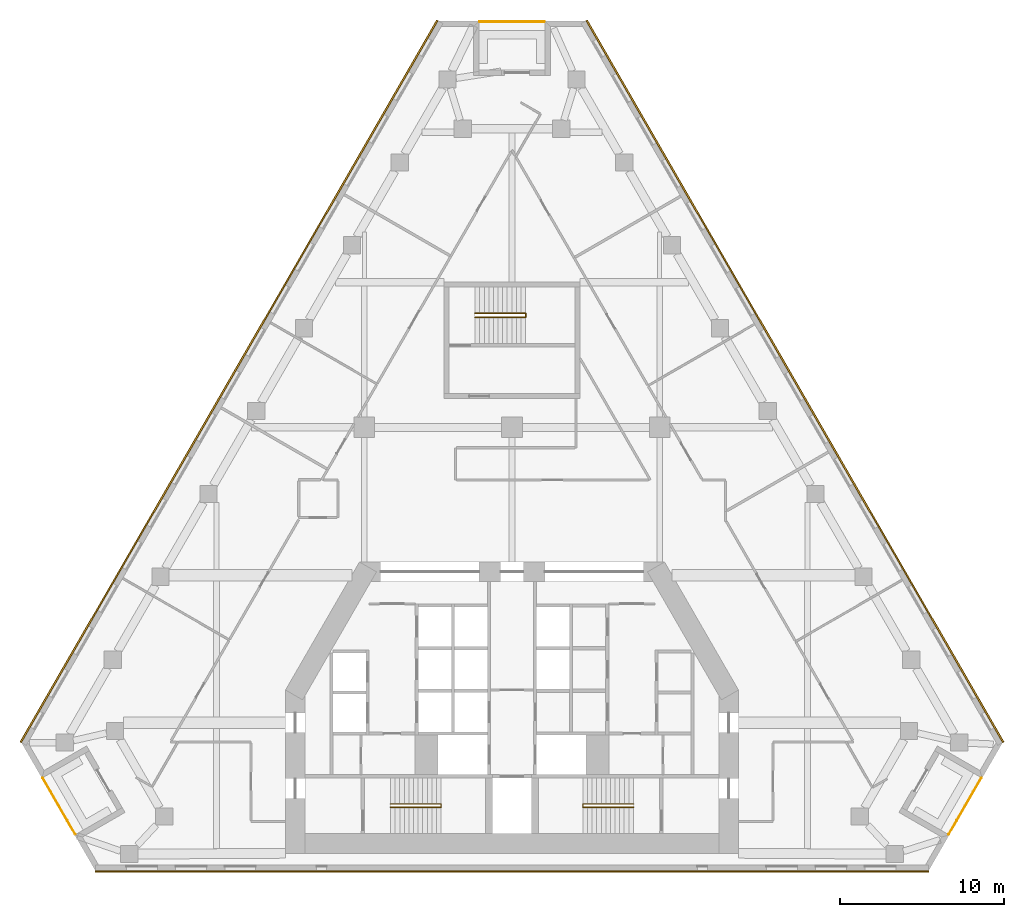
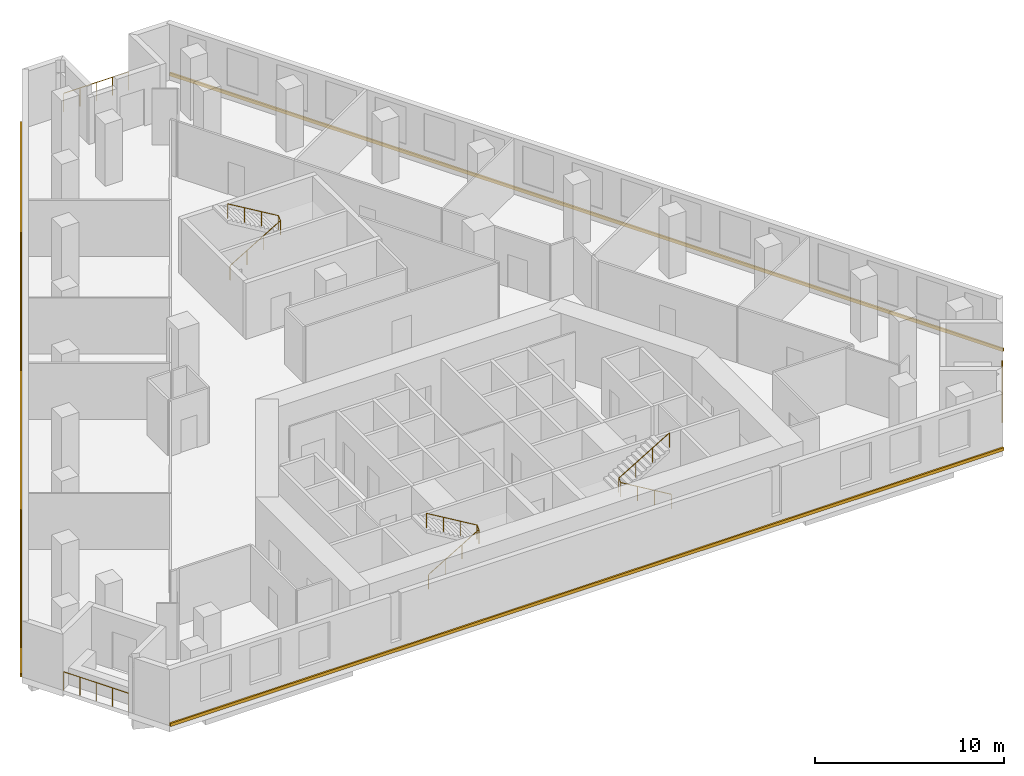
# One storey, part 10 of 10: 6 railings, 3 coverings.
"""IFC4 building model written with IfcOpenShell, lengths in metres."""

import ifcopenshell
import ifcopenshell.guid

model = None  # the IFC model being written
_history = None  # IfcOwnerHistory: only IFC2X3 demands one
_inside = {}  # id of a spatial element -> (the spatial element, [elements in it])
_under = {}  # id of a project, library or spatial element -> (it, [spatial elements below it])
_declared = {}  # id of a project -> (the project, [libraries it declares])
_typed = {}  # id of a type object -> (the type object, [elements of that type])
_made_of = {}  # id of a material, layer set ... -> (it, [elements and type objects made of it])


def new_model(schema):
    """Start an empty IFC model of exactly this schema.

    Asked for "IFC4X3", IfcOpenShell would pick the latest addendum, in which some entities
    have other attributes; the version numbers below select the first issue.
    IFC2X3 requires an IfcOwnerHistory on every rooted entity: one is made here for all.
    """
    global model, _history
    if schema == "IFC4X3":
        model = ifcopenshell.file(schema_version=(4, 3, 0, 0))
    else:
        model = ifcopenshell.file(schema=schema)
    _inside.clear()
    _under.clear()
    _declared.clear()
    _typed.clear()
    _made_of.clear()
    _history = None
    if model.schema == "IFC2X3":
        org = make("IfcOrganization", Name="unknown")
        user = make(
            "IfcPersonAndOrganization",
            ThePerson=make("IfcPerson", FamilyName="unknown"),
            TheOrganization=org,
        )
        app = make(
            "IfcApplication",
            ApplicationDeveloper=org,
            Version="unknown",
            ApplicationFullName="unknown",
            ApplicationIdentifier="unknown",
        )
        _history = make(
            "IfcOwnerHistory",
            OwningUser=user,
            OwningApplication=app,
            ChangeAction="ADDED",
            CreationDate=0,
        )
    return model


def make(cls, **values):
    """One entity of the class cls with the attributes given. An attribute that is None is left unset."""
    return model.create_entity(
        cls, **{name: value for name, value in values.items() if value is not None}
    )


def rooted(cls, **values):
    """An entity with a GlobalId (a new one), such as an element, a storey or a relation."""
    return make(cls, GlobalId=ifcopenshell.guid.new(), OwnerHistory=_history, **values)


def si_unit(unit_type, name, prefix=None):
    """IfcSIUnit, for example si_unit("LENGTHUNIT", "METRE", prefix="MILLI")."""
    return make("IfcSIUnit", UnitType=unit_type, Prefix=prefix, Name=name)


def assignment(units):
    """IfcUnitAssignment: the units of a project."""
    return None if units is None else make("IfcUnitAssignment", Units=units)


def point(xyz):
    """IfcCartesianPoint."""
    return None if xyz is None else make("IfcCartesianPoint", Coordinates=xyz)


def direction(xyz):
    """IfcDirection."""
    return None if xyz is None else make("IfcDirection", DirectionRatios=xyz)


def frame(location, z_axis=None, x_axis=None):
    """IfcAxis2Placement3D, a coordinate frame: its origin and axes. An axis left out is left unset."""
    return make(
        "IfcAxis2Placement3D",
        Location=point(location),
        Axis=direction(z_axis),
        RefDirection=direction(x_axis),
    )


def frame_2d(location, x_axis=None):
    """IfcAxis2Placement2D, a coordinate frame in the plane: its origin and x axis."""
    return make(
        "IfcAxis2Placement2D", Location=point(location), RefDirection=direction(x_axis)
    )


def origin():
    """The frame at (0, 0, 0) with its axes left unset."""
    return frame((0.0, 0.0, 0.0))


def origin_2d():
    """The frame at (0, 0) in the plane with its x axis left unset."""
    return frame_2d((0.0, 0.0))


def place(relative_to, where):
    """IfcLocalPlacement: puts the frame where relative to a parent placement (None: the world)."""
    return make(
        "IfcLocalPlacement", PlacementRelTo=relative_to, RelativePlacement=where
    )


def context(
    kind, dimensions, precision=None, world=None, true_north=None, identifier=None
):
    """IfcGeometricRepresentationContext, for example the 3D "Model" context."""
    return make(
        "IfcGeometricRepresentationContext",
        ContextIdentifier=identifier,
        ContextType=kind,
        CoordinateSpaceDimension=dimensions,
        Precision=precision,
        WorldCoordinateSystem=world,
        TrueNorth=true_north,
    )


def subcontext(parent, identifier, kind, view, scale=None):
    """IfcGeometricRepresentationSubContext, for example "Body" below "Model"."""
    return make(
        "IfcGeometricRepresentationSubContext",
        ContextIdentifier=identifier,
        ContextType=kind,
        ParentContext=parent,
        TargetScale=scale,
        TargetView=view,
    )


def project(units=None, contexts=None):
    """IfcProject with its units and contexts."""
    return rooted(
        "IfcProject",
        Name="project",
        RepresentationContexts=contexts,
        UnitsInContext=assignment(units),
    )


def spatial(cls, under=None, at=None, **own):
    """A site, building, storey or space (cls), placed at a placement, below another one or the project."""
    s = rooted(cls, ObjectPlacement=at, **own)
    if under is not None:
        _under.setdefault(under.id(), (under, []))[1].append(s)
    return s


def polyline(points):
    """IfcPolyline through the points."""
    return make("IfcPolyline", Points=[point(p) for p in points])


def profile(cls, at=None, kind="AREA", **sizes):
    """A parametric profile (cls). Its sizes go by their IFC names, for example OverallWidth=200.0."""
    return make(cls, ProfileType=kind, Position=at, **sizes)


def circle(**sizes):
    """IfcCircleProfileDef."""
    return profile("IfcCircleProfileDef", **sizes)


def outline(outer, holes=None, kind="AREA"):
    """IfcArbitraryClosedProfileDef: a profile drawn as a closed curve; with holes, ...WithVoids."""
    if holes is None:
        return make("IfcArbitraryClosedProfileDef", ProfileType=kind, OuterCurve=outer)
    return make(
        "IfcArbitraryProfileDefWithVoids",
        ProfileType=kind,
        OuterCurve=outer,
        InnerCurves=holes,
    )


def extrude(swept, where, along, depth):
    """IfcExtrudedAreaSolid: the profile swept, set in the frame where, extruded along a direction by depth."""
    return make(
        "IfcExtrudedAreaSolid",
        SweptArea=swept,
        Position=where,
        ExtrudedDirection=direction(along),
        Depth=depth,
    )


def shape(context_of_items, identifier, shape_type, items):
    """IfcShapeRepresentation: the items that make up one representation, for example the "Body"."""
    return make(
        "IfcShapeRepresentation",
        ContextOfItems=context_of_items,
        RepresentationIdentifier=identifier,
        RepresentationType=shape_type,
        Items=items,
    )


def material(Name=None, Category=None):
    """IfcMaterial."""
    return make("IfcMaterial", Name=Name, Category=Category)


def made_of(thing, what):
    """Note that an element or type object is made of a material, layer set ...; save() writes the relation."""
    if what is not None:
        _made_of.setdefault(what.id(), (what, []))[1].append(thing)
    return thing


def type_object(cls, material=None, **own):
    """A type object (cls), such as IfcWallType, which elements share."""
    return made_of(rooted(cls, **own), material)


def element(
    cls,
    number,
    at=None,
    inside=None,
    cuts=None,
    type_object=None,
    material=None,
    context=None,
    identifier="Body",
    shape_type=None,
    held_by="IfcProductDefinitionShape",
    body=None,
    shapes=None,
    **own,
):
    """One element of the class cls, such as IfcWall. Its Tag is "e" and its number.

    at: its placement. inside: the storey or other place that contains it. cuts: it is an
    opening in that element (IfcRelVoidsElement). A single representation is given by context,
    identifier, shape_type and body (its items); several are given by shapes. held_by: the class
    of the entity that holds the representations. save() writes the other relations.
    """
    e = rooted(cls, Tag="e%d" % number, ObjectPlacement=at, **own)
    if body is not None:
        shapes = [shape(context, identifier, shape_type, body)]
    if shapes is not None:
        e.Representation = make(held_by, Representations=shapes)
    if inside is not None:
        _inside.setdefault(inside.id(), (inside, []))[1].append(e)
    if cuts is not None:
        rooted(
            "IfcRelVoidsElement", RelatingBuildingElement=cuts, RelatedOpeningElement=e
        )
    if type_object is not None:
        _typed.setdefault(type_object.id(), (type_object, []))[1].append(e)
    return made_of(e, material)


def aggregate(whole, parts):
    """IfcRelAggregates: a whole, such as a stair, and the parts it consists of."""
    return rooted("IfcRelAggregates", RelatingObject=whole, RelatedObjects=parts)


def save(model, path):
    """Write the relations noted so far, then the file.

    IfcRelAggregates (storeys below a building ...), IfcRelContainedInSpatialStructure (elements
    in a storey), IfcRelDefinesByType, IfcRelAssociatesMaterial and IfcRelDeclares: one each for
    every whole, place, type object, material and project.
    """
    for whole, parts in _under.values():
        aggregate(whole, parts)
    for where, things in _inside.values():
        rooted(
            "IfcRelContainedInSpatialStructure",
            RelatedElements=things,
            RelatingStructure=where,
        )
    for kind, things in _typed.values():
        rooted("IfcRelDefinesByType", RelatedObjects=things, RelatingType=kind)
    for what, things in _made_of.values():
        rooted("IfcRelAssociatesMaterial", RelatedObjects=things, RelatingMaterial=what)
    for by, libraries in _declared.values():
        rooted("IfcRelDeclares", RelatingContext=by, RelatedDefinitions=libraries)
    model.write(path)


model = new_model("IFC4")

# Units and contexts
model_context = context("Model", 3, precision=1e-05, world=origin(), true_north=direction((0.0, 1.0)))
body_context = subcontext(model_context, "Body", "Model", "MODEL_VIEW")
ifc_project = project(units=[si_unit("LENGTHUNIT", "METRE"), si_unit("AREAUNIT", "SQUARE_METRE"), si_unit("VOLUMEUNIT", "CUBIC_METRE"), si_unit("PLANEANGLEUNIT", "RADIAN"), si_unit("MASSUNIT", "GRAM", prefix="KILO")], contexts=[model_context])

# Site, building, storey
site_placement = place(None, origin())
site = spatial("IfcSite", under=ifc_project, at=site_placement, CompositionType="ELEMENT")
building_placement = place(site_placement, origin())
building = spatial("IfcBuilding", under=site, at=building_placement, Name="Fogline Exchange Tower", CompositionType="ELEMENT")
storey_placement = place(building_placement, frame((0.0, 0.0, 128.10009765625)))
storey = spatial("IfcBuildingStorey", under=building, at=storey_placement, Name="L28", CompositionType="ELEMENT", Elevation=128.10009765625)

# Railings
ifc_material_1 = material(Name="Stainless steel 304", Category="steel")
railing_type_1 = type_object("IfcRailingType", Name="G1", PredefinedType="GUARDRAIL", material=ifc_material_1)
railing_1_placement = place(storey_placement, frame((-28.589599609375, 5.635986328125, 0.0)))
element("IfcRailing", 1, at=railing_1_placement, inside=storey, type_object=railing_type_1, Name="Balcony guard L28 SW", PredefinedType="GUARDRAIL", context=body_context, shape_type="SweptSolid", body=[
    extrude(circle(Radius=0.02392578125, at=origin_2d()), frame((0.0, 0.0, 1.17578125), z_axis=(0.500000102728, -0.866025344474, 0.0), x_axis=(0.866025344474, 0.500000102728, 0.0)), (0.0, 0.0, 1.0), 3.9580078125),
    extrude(circle(Radius=0.02099609375, at=origin_2d()), origin(), (0.0, 0.0, 1.0), 1.15185546875),
    extrude(circle(Radius=0.02099609375, at=origin_2d()), frame((0.49462890625, -0.85693359375, 0.0)), (0.0, 0.0, 1.0), 1.15185546875),
    extrude(circle(Radius=0.02099609375, at=origin_2d()), frame((0.989501953125, -1.7138671875, 0.0)), (0.0, 0.0, 1.0), 1.15185546875),
    extrude(circle(Radius=0.02099609375, at=origin_2d()), frame((1.484375, -2.57080078125, 0.0)), (0.0, 0.0, 1.0), 1.15185546875),
    extrude(circle(Radius=0.02099609375, at=origin_2d()), frame((1.97900390625, -3.427734375, 0.0)), (0.0, 0.0, 1.0), 1.15185546875),
])
railing_2_placement = place(storey_placement, frame((26.610595703125, 2.208251953125, 0.0)))
element("IfcRailing", 2, at=railing_2_placement, inside=storey, type_object=railing_type_1, Name="Balcony guard L28 SE", PredefinedType="GUARDRAIL", context=body_context, shape_type="SweptSolid", body=[
    extrude(circle(Radius=0.02392578125, at=origin_2d()), frame((0.0, 0.0, 1.17578125), z_axis=(0.500000102728, 0.866025344474, 0.0), x_axis=(-0.866025344474, 0.500000102728, 0.0)), (0.0, 0.0, 1.0), 3.9580078125),
    extrude(circle(Radius=0.02099609375, at=origin_2d()), origin(), (0.0, 0.0, 1.0), 1.15185546875),
    extrude(circle(Radius=0.02099609375, at=origin_2d()), frame((0.49462890625, 0.85693359375, 0.0)), (0.0, 0.0, 1.0), 1.15185546875),
    extrude(circle(Radius=0.02099609375, at=origin_2d()), frame((0.989501953125, 1.7138671875, 0.0)), (0.0, 0.0, 1.0), 1.15185546875),
    extrude(circle(Radius=0.02099609375, at=origin_2d()), frame((1.484375, 2.57080078125, 0.0)), (0.0, 0.0, 1.0), 1.15185546875),
    extrude(circle(Radius=0.02099609375, at=origin_2d()), frame((1.97900390625, 3.427734375, 0.0)), (0.0, 0.0, 1.0), 1.15185546875),
])
railing_3_placement = place(storey_placement, frame((1.97900390625, 51.726806640625, 0.0)))
element("IfcRailing", 3, at=railing_3_placement, inside=storey, type_object=railing_type_1, Name="Balcony guard L28 N", PredefinedType="GUARDRAIL", context=body_context, shape_type="SweptSolid", body=[
    extrude(circle(Radius=0.02392578125, at=origin_2d()), frame((0.0, 0.0, 1.17578125), z_axis=(-1.0, 0.0, 0.0), x_axis=(0.0, -1.0, 0.0)), (0.0, 0.0, 1.0), 3.9580078125),
    extrude(circle(Radius=0.02099609375, at=origin_2d()), origin(), (0.0, 0.0, 1.0), 1.15185546875),
    extrude(circle(Radius=0.02099609375, at=origin_2d()), frame((-0.989501953125, 0.0, 0.0)), (0.0, 0.0, 1.0), 1.15185546875),
    extrude(circle(Radius=0.02099609375, at=origin_2d()), frame((-1.97900390625, 0.0, 0.0)), (0.0, 0.0, 1.0), 1.15185546875),
    extrude(circle(Radius=0.02099609375, at=origin_2d()), frame((-2.968505859375, 0.0, 0.0)), (0.0, 0.0, 1.0), 1.15185546875),
    extrude(circle(Radius=0.02099609375, at=origin_2d()), frame((-3.9580078125, 0.0, 0.0)), (0.0, 0.0, 1.0), 1.15185546875),
])
ifc_material_2 = material(Name="Steel Q235B", Category="steel")
railing_type_2 = type_object("IfcRailingType", Name="RL-HR", PredefinedType="HANDRAIL", material=ifc_material_2)
railing_4_placement = place(storey_placement, frame((-7.39990234375, 3.85009765625, 0.16650390625)))
element("IfcRailing", 4, at=railing_4_placement, inside=storey, type_object=railing_type_2, Name="Handrail ST1", PredefinedType="HANDRAIL", context=body_context, shape_type="SweptSolid", body=[
    extrude(circle(Radius=0.02392578125, at=origin_2d()), frame((0.0, 0.0, 0.92578125), z_axis=(0.859260807169, 0.0, 0.511537745687), x_axis=(0.0, 1.0, 0.0)), (0.0, 0.0, 1.0), 3.584228515625),
    extrude(circle(Radius=0.02392578125, at=origin_2d()), frame((3.079833984375, 0.0, 2.75927734375), z_axis=(0.0, 0.768451954486, 0.639907488351), x_axis=(-1.0, 0.0, 0.0)), (0.0, 0.0, 1.0), 0.26025390625),
    extrude(circle(Radius=0.02392578125, at=origin_2d()), frame((3.079833984375, 0.199951171875, 2.92578125), z_axis=(-0.859260807169, 0.0, 0.511537745687), x_axis=(0.0, -1.0, 0.0)), (0.0, 0.0, 1.0), 3.584228515625),
    extrude(circle(Radius=0.02099609375, at=origin_2d()), origin(), (0.0, 0.0, 1.0), 0.90185546875),
    extrude(circle(Radius=0.02099609375, at=origin_2d()), frame((1.026611328125, 0.0, 0.611083984375)), (0.0, 0.0, 1.0), 0.90185546875),
    extrude(circle(Radius=0.02099609375, at=origin_2d()), frame((2.05322265625, 0.0, 1.222412109375)), (0.0, 0.0, 1.0), 0.90185546875),
    extrude(circle(Radius=0.02099609375, at=origin_2d()), frame((3.079833984375, 0.0, 1.83349609375)), (0.0, 0.0, 1.0), 0.90185546875),
    extrude(circle(Radius=0.02099609375, at=origin_2d()), frame((3.079833984375, 0.199951171875, 2.0)), (0.0, 0.0, 1.0), 0.90185546875),
    extrude(circle(Radius=0.02099609375, at=origin_2d()), frame((2.05322265625, 0.199951171875, 2.611083984375)), (0.0, 0.0, 1.0), 0.90185546875),
    extrude(circle(Radius=0.02099609375, at=origin_2d()), frame((1.026611328125, 0.199951171875, 3.222412109375)), (0.0, 0.0, 1.0), 0.90185546875),
    extrude(circle(Radius=0.02099609375, at=origin_2d()), frame((0.0, 0.199951171875, 3.83349609375)), (0.0, 0.0, 1.0), 0.90185546875),
])
railing_5_placement = place(storey_placement, frame((7.39990234375, 3.85009765625, 0.16650390625)))
element("IfcRailing", 5, at=railing_5_placement, inside=storey, type_object=railing_type_2, Name="Handrail ST2", PredefinedType="HANDRAIL", context=body_context, shape_type="SweptSolid", body=[
    extrude(circle(Radius=0.02392578125, at=origin_2d()), frame((0.0, 0.0, 0.92578125), z_axis=(-0.859260807169, 0.0, 0.511537745687), x_axis=(0.0, -1.0, 0.0)), (0.0, 0.0, 1.0), 3.584228515625),
    extrude(circle(Radius=0.02392578125, at=origin_2d()), frame((-3.079833984375, 0.0, 2.75927734375), z_axis=(0.0, 0.768451954486, 0.639907488351), x_axis=(-1.0, 0.0, 0.0)), (0.0, 0.0, 1.0), 0.26025390625),
    extrude(circle(Radius=0.02392578125, at=origin_2d()), frame((-3.079833984375, 0.199951171875, 2.92578125), z_axis=(0.859260807169, 0.0, 0.511537745687), x_axis=(0.0, 1.0, 0.0)), (0.0, 0.0, 1.0), 3.584228515625),
    extrude(circle(Radius=0.02099609375, at=origin_2d()), origin(), (0.0, 0.0, 1.0), 0.90185546875),
    extrude(circle(Radius=0.02099609375, at=origin_2d()), frame((-1.026611328125, 0.0, 0.611083984375)), (0.0, 0.0, 1.0), 0.90185546875),
    extrude(circle(Radius=0.02099609375, at=origin_2d()), frame((-2.05322265625, 0.0, 1.222412109375)), (0.0, 0.0, 1.0), 0.90185546875),
    extrude(circle(Radius=0.02099609375, at=origin_2d()), frame((-3.079833984375, 0.0, 1.83349609375)), (0.0, 0.0, 1.0), 0.90185546875),
    extrude(circle(Radius=0.02099609375, at=origin_2d()), frame((-3.079833984375, 0.199951171875, 2.0)), (0.0, 0.0, 1.0), 0.90185546875),
    extrude(circle(Radius=0.02099609375, at=origin_2d()), frame((-2.05322265625, 0.199951171875, 2.611083984375)), (0.0, 0.0, 1.0), 0.90185546875),
    extrude(circle(Radius=0.02099609375, at=origin_2d()), frame((-1.026611328125, 0.199951171875, 3.222412109375)), (0.0, 0.0, 1.0), 0.90185546875),
    extrude(circle(Radius=0.02099609375, at=origin_2d()), frame((0.0, 0.199951171875, 3.83349609375)), (0.0, 0.0, 1.0), 0.90185546875),
])
railing_6_placement = place(storey_placement, frame((-2.25, 33.70703125, 0.16650390625)))
element("IfcRailing", 6, at=railing_6_placement, inside=storey, type_object=railing_type_2, Name="Handrail ST3", PredefinedType="HANDRAIL", context=body_context, shape_type="SweptSolid", body=[
    extrude(circle(Radius=0.02392578125, at=origin_2d()), frame((0.0, 0.0, 0.92578125), z_axis=(0.85927862911, 0.0, 0.511507807912), x_axis=(0.0, 1.0, 0.0)), (0.0, 0.0, 1.0), 3.58447265625),
    extrude(circle(Radius=0.02392578125, at=origin_2d()), frame((3.080078125, 0.0, 2.75927734375), z_axis=(0.0, 0.832300300006, 0.554325004496), x_axis=(-1.0, 0.0, 0.0)), (0.0, 0.0, 1.0), 0.30029296875),
    extrude(circle(Radius=0.02392578125, at=origin_2d()), frame((3.080078125, 0.25, 2.92578125), z_axis=(-0.85927862911, 0.0, 0.511507807912), x_axis=(0.0, -1.0, 0.0)), (0.0, 0.0, 1.0), 3.58447265625),
    extrude(circle(Radius=0.02099609375, at=origin_2d()), origin(), (0.0, 0.0, 1.0), 0.90185546875),
    extrude(circle(Radius=0.02099609375, at=origin_2d()), frame((1.026611328125, 0.0, 0.611083984375)), (0.0, 0.0, 1.0), 0.90185546875),
    extrude(circle(Radius=0.02099609375, at=origin_2d()), frame((2.053466796875, 0.0, 1.222412109375)), (0.0, 0.0, 1.0), 0.90185546875),
    extrude(circle(Radius=0.02099609375, at=origin_2d()), frame((3.080078125, 0.0, 1.83349609375)), (0.0, 0.0, 1.0), 0.90185546875),
    extrude(circle(Radius=0.02099609375, at=origin_2d()), frame((3.080078125, 0.25, 2.0)), (0.0, 0.0, 1.0), 0.90185546875),
    extrude(circle(Radius=0.02099609375, at=origin_2d()), frame((2.053466796875, 0.25, 2.611083984375)), (0.0, 0.0, 1.0), 0.90185546875),
    extrude(circle(Radius=0.02099609375, at=origin_2d()), frame((1.026611328125, 0.25, 3.222412109375)), (0.0, 0.0, 1.0), 0.90185546875),
    extrude(circle(Radius=0.02099609375, at=origin_2d()), frame((0.0, 0.25, 3.83349609375)), (0.0, 0.0, 1.0), 0.90185546875),
])

# Coverings
ifc_material_3 = material(Name="Brick masonry", Category="masonry")
covering_type = type_object("IfcCoveringType", Name="SB1", PredefinedType="CLADDING", material=ifc_material_3)
covering_1_placement = place(storey_placement, origin())
element("IfcCovering", 7, at=covering_1_placement, inside=storey, type_object=covering_type, Name="Stringcourse band L28 S", PredefinedType="CLADDING", context=body_context, shape_type="SweptSolid", body=[
    extrude(outline(polyline([(-25.393310546875, 0.0), (-25.393310546875, -0.10009765625), (25.393310546875, -0.10009765625), (25.393310546875, 0.0), (-25.393310546875, 0.0)])), origin(), (0.0, 0.0, 1.0), 0.199951171875),
])
covering_2_placement = place(storey_placement, origin())
element("IfcCovering", 8, at=covering_2_placement, inside=storey, type_object=covering_type, Name="Stringcourse band L28 E", PredefinedType="CLADDING", context=body_context, shape_type="SweptSolid", body=[
    extrude(outline(polyline([(29.893310546875, 7.794189453125), (29.97998046875, 7.84423828125), (4.586669921875, 51.82666015625), (4.5, 51.776611328125), (29.893310546875, 7.794189453125)])), origin(), (0.0, 0.0, 1.0), 0.199951171875),
])
covering_3_placement = place(storey_placement, origin())
element("IfcCovering", 9, at=covering_3_placement, inside=storey, type_object=covering_type, Name="Stringcourse band L28 W", PredefinedType="CLADDING", context=body_context, shape_type="SweptSolid", body=[
    extrude(outline(polyline([(-4.5, 51.776611328125), (-4.586669921875, 51.82666015625), (-29.97998046875, 7.84423828125), (-29.893310546875, 7.794189453125), (-4.5, 51.776611328125)])), origin(), (0.0, 0.0, 1.0), 0.199951171875),
])

save(model, "model.ifc")
